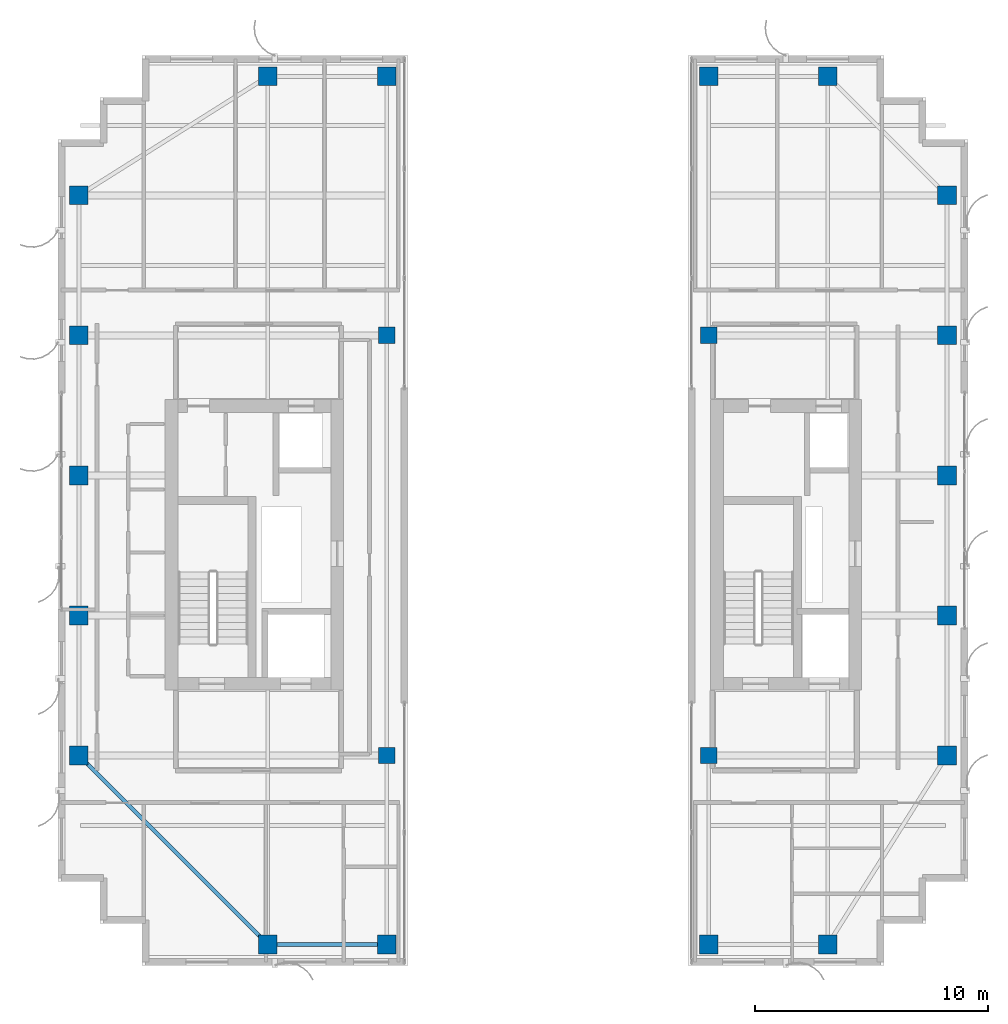
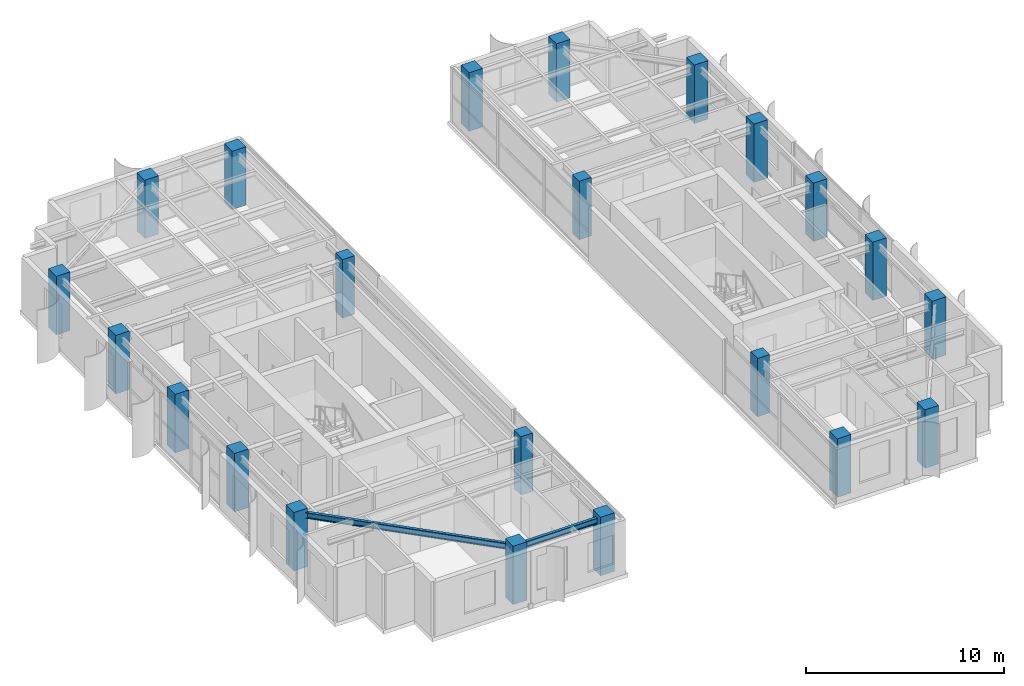
# One storey, part 1 of 24: 22 columns, 2 beams.
"""IFC4 building model written with IfcOpenShell, lengths in metres."""

import ifcopenshell
import ifcopenshell.guid

model = None  # the IFC model being written
_history = None  # IfcOwnerHistory: only IFC2X3 demands one
_inside = {}  # id of a spatial element -> (the spatial element, [elements in it])
_under = {}  # id of a project, library or spatial element -> (it, [spatial elements below it])
_declared = {}  # id of a project -> (the project, [libraries it declares])
_typed = {}  # id of a type object -> (the type object, [elements of that type])
_made_of = {}  # id of a material, layer set ... -> (it, [elements and type objects made of it])


def new_model(schema):
    """Start an empty IFC model of exactly this schema.

    Asked for "IFC4X3", IfcOpenShell would pick the latest addendum, in which some entities
    have other attributes; the version numbers below select the first issue.
    IFC2X3 requires an IfcOwnerHistory on every rooted entity: one is made here for all.
    """
    global model, _history
    if schema == "IFC4X3":
        model = ifcopenshell.file(schema_version=(4, 3, 0, 0))
    else:
        model = ifcopenshell.file(schema=schema)
    _inside.clear()
    _under.clear()
    _declared.clear()
    _typed.clear()
    _made_of.clear()
    _history = None
    if model.schema == "IFC2X3":
        org = make("IfcOrganization", Name="unknown")
        user = make(
            "IfcPersonAndOrganization",
            ThePerson=make("IfcPerson", FamilyName="unknown"),
            TheOrganization=org,
        )
        app = make(
            "IfcApplication",
            ApplicationDeveloper=org,
            Version="unknown",
            ApplicationFullName="unknown",
            ApplicationIdentifier="unknown",
        )
        _history = make(
            "IfcOwnerHistory",
            OwningUser=user,
            OwningApplication=app,
            ChangeAction="ADDED",
            CreationDate=0,
        )
    return model


def make(cls, **values):
    """One entity of the class cls with the attributes given. An attribute that is None is left unset."""
    return model.create_entity(
        cls, **{name: value for name, value in values.items() if value is not None}
    )


def rooted(cls, **values):
    """An entity with a GlobalId (a new one), such as an element, a storey or a relation."""
    return make(cls, GlobalId=ifcopenshell.guid.new(), OwnerHistory=_history, **values)


def si_unit(unit_type, name, prefix=None):
    """IfcSIUnit, for example si_unit("LENGTHUNIT", "METRE", prefix="MILLI")."""
    return make("IfcSIUnit", UnitType=unit_type, Prefix=prefix, Name=name)


def assignment(units):
    """IfcUnitAssignment: the units of a project."""
    return None if units is None else make("IfcUnitAssignment", Units=units)


def point(xyz):
    """IfcCartesianPoint."""
    return None if xyz is None else make("IfcCartesianPoint", Coordinates=xyz)


def direction(xyz):
    """IfcDirection."""
    return None if xyz is None else make("IfcDirection", DirectionRatios=xyz)


def frame(location, z_axis=None, x_axis=None):
    """IfcAxis2Placement3D, a coordinate frame: its origin and axes. An axis left out is left unset."""
    return make(
        "IfcAxis2Placement3D",
        Location=point(location),
        Axis=direction(z_axis),
        RefDirection=direction(x_axis),
    )


def frame_2d(location, x_axis=None):
    """IfcAxis2Placement2D, a coordinate frame in the plane: its origin and x axis."""
    return make(
        "IfcAxis2Placement2D", Location=point(location), RefDirection=direction(x_axis)
    )


def origin():
    """The frame at (0, 0, 0) with its axes left unset."""
    return frame((0.0, 0.0, 0.0))


def origin_2d():
    """The frame at (0, 0) in the plane with its x axis left unset."""
    return frame_2d((0.0, 0.0))


def place(relative_to, where):
    """IfcLocalPlacement: puts the frame where relative to a parent placement (None: the world)."""
    return make(
        "IfcLocalPlacement", PlacementRelTo=relative_to, RelativePlacement=where
    )


def context(
    kind, dimensions, precision=None, world=None, true_north=None, identifier=None
):
    """IfcGeometricRepresentationContext, for example the 3D "Model" context."""
    return make(
        "IfcGeometricRepresentationContext",
        ContextIdentifier=identifier,
        ContextType=kind,
        CoordinateSpaceDimension=dimensions,
        Precision=precision,
        WorldCoordinateSystem=world,
        TrueNorth=true_north,
    )


def subcontext(parent, identifier, kind, view, scale=None):
    """IfcGeometricRepresentationSubContext, for example "Body" below "Model"."""
    return make(
        "IfcGeometricRepresentationSubContext",
        ContextIdentifier=identifier,
        ContextType=kind,
        ParentContext=parent,
        TargetScale=scale,
        TargetView=view,
    )


def project(units=None, contexts=None):
    """IfcProject with its units and contexts."""
    return rooted(
        "IfcProject",
        Name="project",
        RepresentationContexts=contexts,
        UnitsInContext=assignment(units),
    )


def spatial(cls, under=None, at=None, **own):
    """A site, building, storey or space (cls), placed at a placement, below another one or the project."""
    s = rooted(cls, ObjectPlacement=at, **own)
    if under is not None:
        _under.setdefault(under.id(), (under, []))[1].append(s)
    return s


def profile(cls, at=None, kind="AREA", **sizes):
    """A parametric profile (cls). Its sizes go by their IFC names, for example OverallWidth=200.0."""
    return make(cls, ProfileType=kind, Position=at, **sizes)


def rectangle(**sizes):
    """IfcRectangleProfileDef."""
    return profile("IfcRectangleProfileDef", **sizes)


def i_section(**sizes):
    """IfcIShapeProfileDef."""
    return profile("IfcIShapeProfileDef", **sizes)


def extrude(swept, where, along, depth):
    """IfcExtrudedAreaSolid: the profile swept, set in the frame where, extruded along a direction by depth."""
    return make(
        "IfcExtrudedAreaSolid",
        SweptArea=swept,
        Position=where,
        ExtrudedDirection=direction(along),
        Depth=depth,
    )


def shape(context_of_items, identifier, shape_type, items):
    """IfcShapeRepresentation: the items that make up one representation, for example the "Body"."""
    return make(
        "IfcShapeRepresentation",
        ContextOfItems=context_of_items,
        RepresentationIdentifier=identifier,
        RepresentationType=shape_type,
        Items=items,
    )


def source(mapping_origin, context_of_items, identifier, shape_type, items):
    """IfcRepresentationMap: a shape defined once, which mapped items show again and again."""
    return make(
        "IfcRepresentationMap",
        MappingOrigin=mapping_origin,
        MappedRepresentation=shape(context_of_items, identifier, shape_type, items),
    )


def transform(
    local_origin,
    x_axis=None,
    y_axis=None,
    z_axis=None,
    scale=None,
    scale2=None,
    scale3=None,
    uniform=True,
):
    """IfcCartesianTransformationOperator3D, or its non-uniform kind. x_axis, y_axis, z_axis: its Axis1, 2, 3."""
    if uniform:
        return make(
            "IfcCartesianTransformationOperator3D",
            Axis1=direction(x_axis),
            Axis2=direction(y_axis),
            LocalOrigin=point(local_origin),
            Scale=scale,
            Axis3=direction(z_axis),
        )
    return make(
        "IfcCartesianTransformationOperator3DnonUniform",
        Axis1=direction(x_axis),
        Axis2=direction(y_axis),
        LocalOrigin=point(local_origin),
        Scale=scale,
        Axis3=direction(z_axis),
        Scale2=scale2,
        Scale3=scale3,
    )


def mapped(mapping_source, mapping_target):
    """IfcMappedItem: shows the shape of a source again, moved by a transform."""
    return make(
        "IfcMappedItem", MappingSource=mapping_source, MappingTarget=mapping_target
    )


def material(Name=None, Category=None):
    """IfcMaterial."""
    return make("IfcMaterial", Name=Name, Category=Category)


def material_profile(
    of_material, cross_section, Name=None, Category=None, Priority=None
):
    """IfcMaterialProfile: a cross section and its material."""
    return make(
        "IfcMaterialProfile",
        Name=Name,
        Material=of_material,
        Profile=cross_section,
        Priority=Priority,
        Category=Category,
    )


def profile_set(profiles, Name=None, composite=None):
    """IfcMaterialProfileSet."""
    return make(
        "IfcMaterialProfileSet",
        Name=Name,
        MaterialProfiles=profiles,
        CompositeProfile=composite,
    )


def made_of(thing, what):
    """Note that an element or type object is made of a material, layer set ...; save() writes the relation."""
    if what is not None:
        _made_of.setdefault(what.id(), (what, []))[1].append(thing)
    return thing


def type_object(cls, material=None, **own):
    """A type object (cls), such as IfcWallType, which elements share."""
    return made_of(rooted(cls, **own), material)


def element(
    cls,
    number,
    at=None,
    inside=None,
    cuts=None,
    type_object=None,
    material=None,
    context=None,
    identifier="Body",
    shape_type=None,
    held_by="IfcProductDefinitionShape",
    body=None,
    shapes=None,
    **own,
):
    """One element of the class cls, such as IfcWall. Its Tag is "e" and its number.

    at: its placement. inside: the storey or other place that contains it. cuts: it is an
    opening in that element (IfcRelVoidsElement). A single representation is given by context,
    identifier, shape_type and body (its items); several are given by shapes. held_by: the class
    of the entity that holds the representations. save() writes the other relations.
    """
    e = rooted(cls, Tag="e%d" % number, ObjectPlacement=at, **own)
    if body is not None:
        shapes = [shape(context, identifier, shape_type, body)]
    if shapes is not None:
        e.Representation = make(held_by, Representations=shapes)
    if inside is not None:
        _inside.setdefault(inside.id(), (inside, []))[1].append(e)
    if cuts is not None:
        rooted(
            "IfcRelVoidsElement", RelatingBuildingElement=cuts, RelatedOpeningElement=e
        )
    if type_object is not None:
        _typed.setdefault(type_object.id(), (type_object, []))[1].append(e)
    return made_of(e, material)


def aggregate(whole, parts):
    """IfcRelAggregates: a whole, such as a stair, and the parts it consists of."""
    return rooted("IfcRelAggregates", RelatingObject=whole, RelatedObjects=parts)


def save(model, path):
    """Write the relations noted so far, then the file.

    IfcRelAggregates (storeys below a building ...), IfcRelContainedInSpatialStructure (elements
    in a storey), IfcRelDefinesByType, IfcRelAssociatesMaterial and IfcRelDeclares: one each for
    every whole, place, type object, material and project.
    """
    for whole, parts in _under.values():
        aggregate(whole, parts)
    for where, things in _inside.values():
        rooted(
            "IfcRelContainedInSpatialStructure",
            RelatedElements=things,
            RelatingStructure=where,
        )
    for kind, things in _typed.values():
        rooted("IfcRelDefinesByType", RelatedObjects=things, RelatingType=kind)
    for what, things in _made_of.values():
        rooted("IfcRelAssociatesMaterial", RelatedObjects=things, RelatingMaterial=what)
    for by, libraries in _declared.values():
        rooted("IfcRelDeclares", RelatingContext=by, RelatedDefinitions=libraries)
    model.write(path)


model = new_model("IFC4")

# Units and contexts
model_context = context("Model", 3, precision=1e-05, world=origin(), true_north=direction((0.0, 1.0)))
body_context = subcontext(model_context, "Body", "Model", "MODEL_VIEW")
ifc_project = project(units=[si_unit("LENGTHUNIT", "METRE"), si_unit("AREAUNIT", "SQUARE_METRE"), si_unit("VOLUMEUNIT", "CUBIC_METRE"), si_unit("PLANEANGLEUNIT", "RADIAN"), si_unit("MASSUNIT", "GRAM", prefix="KILO")], contexts=[model_context])

# Site, building, storey
site_placement = place(None, origin())
site = spatial("IfcSite", under=ifc_project, at=site_placement, CompositionType="ELEMENT")
building_placement = place(site_placement, origin())
building = spatial("IfcBuilding", under=site, at=building_placement, Name="Khoralis Quay Care Tower", CompositionType="ELEMENT")
storey_placement = place(building_placement, frame((0.0, 0.0, 238.5)))
storey = spatial("IfcBuildingStorey", under=building, at=storey_placement, Name="L62", CompositionType="ELEMENT", Elevation=238.5)

# Columns
ifc_material_1 = material(Name="Concrete C50/60", Category="concrete")
ifc_material_profile_1 = material_profile(ifc_material_1, rectangle(XDim=0.800048828125, YDim=0.800048828125, at=origin_2d()), Name="Concrete C50/60")
ifc_profile_set_1 = profile_set([ifc_material_profile_1], Name="Concrete C50/60")
column_type_1 = type_object("IfcColumnType", Name="COL-C800", PredefinedType="COLUMN", material=ifc_profile_set_1)
shared_shape_1 = source(origin(), body_context, "Body", "SweptSolid", [
    extrude(rectangle(XDim=0.800048828125, YDim=0.800048828125, at=origin_2d()), origin(), (0.0, 0.0, 1.0), 3.60009765625),
])
for number, where, z_axis, x_axis, name in (
    (1, (12.0, 3.89990234375, 0.0), (0.0, 0.0, 1.0), (1.0, 0.0, 0.0), "COL-TWR-L62-01"),
    (2, (12.0, 41.10009765625, 0.0), (0.0, 0.0, 1.0), (1.0, 0.0, 0.0), "COL-TWR-L62-02"),
    (3, (17.10009765625, 3.89990234375, 0.0), (0.0, 0.0, 1.0), (1.0, 0.0, 0.0), "COL-TWR-L62-03"),
    (4, (17.10009765625, 41.10009765625, 0.0), (0.0, 0.0, 1.0), (1.0, 0.0, 0.0), "COL-TWR-L62-04"),
    (5, (30.89990234375, 3.89990234375, 0.0), (0.0, 0.0, 1.0), (1.0, 0.0, 0.0), "COL-TWR-L62-05"),
    (6, (30.89990234375, 41.10009765625, 0.0), (0.0, 0.0, 1.0), (1.0, 0.0, 0.0), "COL-TWR-L62-06"),
    (7, (36.0, 3.89990234375, 0.0), (0.0, 0.0, 1.0), (1.0, 0.0, 0.0), "COL-TWR-L62-07"),
    (8, (36.0, 41.10009765625, 0.0), (0.0, 0.0, 1.0), (1.0, 0.0, 0.0), "COL-TWR-L62-08"),
    (9, (3.89990234375, 12.0, 0.0), (0.0, 0.0, 1.0), (1.0, 0.0, 0.0), "COL-TWR-L62-09"),
    (10, (41.10009765625, 12.0, 0.0), (0.0, 0.0, 1.0), (1.0, 0.0, 0.0), "COL-TWR-L62-10"),
    (11, (3.89990234375, 18.0, 0.0), (0.0, 0.0, 1.0), (1.0, 0.0, 0.0), "COL-TWR-L62-11"),
    (12, (41.10009765625, 18.0, 0.0), (0.0, 0.0, 1.0), (1.0, 0.0, 0.0), "COL-TWR-L62-12"),
    (13, (3.89990234375, 24.0, 0.0), (0.0, 0.0, 1.0), (1.0, 0.0, 0.0), "COL-TWR-L62-13"),
    (14, (41.10009765625, 24.0, 0.0), (0.0, 0.0, 1.0), (1.0, 0.0, 0.0), "COL-TWR-L62-14"),
    (15, (3.89990234375, 30.0, 0.0), (0.0, 0.0, 1.0), (1.0, 0.0, 0.0), "COL-TWR-L62-15"),
    (16, (41.10009765625, 30.0, 0.0), (0.0, 0.0, 1.0), (1.0, 0.0, 0.0), "COL-TWR-L62-16"),
    (17, (3.89990234375, 36.0, 0.0), (0.0, 0.0, 1.0), (1.0, 0.0, 0.0), "COL-TWR-L62-17"),
    (18, (41.10009765625, 36.0, 0.0), (0.0, 0.0, 1.0), (1.0, 0.0, 0.0), "COL-TWR-L62-18"),
):
    element("IfcColumn", number, at=place(storey_placement, frame(where, z_axis=z_axis, x_axis=x_axis)), inside=storey, type_object=column_type_1, Name=name, PredefinedType="COLUMN", context=body_context, shape_type="MappedRepresentation", body=[
        mapped(shared_shape_1, transform((0.0, 0.0, 0.0), scale=1.0)),
    ])
ifc_material_profile_2 = material_profile(ifc_material_1, rectangle(XDim=0.699951171875, YDim=0.699951171875, at=origin_2d()), Name="Concrete C50/60")
ifc_profile_set_2 = profile_set([ifc_material_profile_2], Name="Concrete C50/60")
column_type_2 = type_object("IfcColumnType", Name="COL-C700", PredefinedType="COLUMN", material=ifc_profile_set_2)
shared_shape_2 = source(origin(), body_context, "Body", "SweptSolid", [
    extrude(rectangle(XDim=0.699951171875, YDim=0.699951171875, at=origin_2d()), origin(), (0.0, 0.0, 1.0), 3.60009765625),
])
for number, where, z_axis, x_axis, name in (
    (19, (17.10009765625, 12.0, 0.0), (0.0, 0.0, 1.0), (1.0, 0.0, 0.0), "COL-TWR-L62-19"),
    (20, (17.10009765625, 30.0, 0.0), (0.0, 0.0, 1.0), (1.0, 0.0, 0.0), "COL-TWR-L62-20"),
    (21, (30.89990234375, 12.0, 0.0), (0.0, 0.0, 1.0), (1.0, 0.0, 0.0), "COL-TWR-L62-21"),
    (22, (30.89990234375, 30.0, 0.0), (0.0, 0.0, 1.0), (1.0, 0.0, 0.0), "COL-TWR-L62-22"),
):
    element("IfcColumn", number, at=place(storey_placement, frame(where, z_axis=z_axis, x_axis=x_axis)), inside=storey, type_object=column_type_2, Name=name, PredefinedType="COLUMN", context=body_context, shape_type="MappedRepresentation", body=[
        mapped(shared_shape_2, transform((0.0, 0.0, 0.0), scale=1.0)),
    ])

# Beams
ifc_material_2 = material(Name="Steel S355", Category="steel")
ifc_material_profile_3 = material_profile(ifc_material_2, i_section(OverallWidth=0.169921875, OverallDepth=0.360107421875, WebThickness=0.008056640625, FlangeThickness=0.0126953125, FilletRadius=0.01806640625, at=origin_2d()), Name="Steel S355")
ifc_profile_set_3 = profile_set([ifc_material_profile_3], Name="Steel S355")
beam_type = type_object("IfcBeamType", Name="BM-IPE360", PredefinedType="SPANDREL", material=ifc_profile_set_3)
shared_shape_3 = source(origin(), body_context, "Body", "SweptSolid", [
    extrude(i_section(OverallWidth=0.169921875, OverallDepth=0.360107421875, WebThickness=0.008056640625, FlangeThickness=0.0126953125, FilletRadius=0.01806640625, at=origin_2d()), origin(), (0.0, 0.0, 1.0), 5.10009765625),
])
beam_1_placement = place(storey_placement, frame((12.0, 3.89990234375, 3.179931640625), z_axis=(1.0, 0.0, 0.0), x_axis=(0.0, 1.0, 0.0)))
element("IfcBeam", 23, at=beam_1_placement, inside=storey, type_object=beam_type, Name="BM-TSP-L62-01", PredefinedType="SPANDREL", context=body_context, shape_type="MappedRepresentation", body=[
    mapped(shared_shape_3, transform((0.0, 0.0, 0.0), scale=1.0)),
])
shared_shape_4 = source(origin(), body_context, "Body", "SweptSolid", [
    extrude(i_section(OverallWidth=0.169921875, OverallDepth=0.360107421875, WebThickness=0.008056640625, FlangeThickness=0.0126953125, FilletRadius=0.01806640625, at=origin_2d()), origin(), (0.0, 0.0, 1.0), 11.455322265625),
])
beam_2_placement = place(storey_placement, frame((12.0, 3.89990234375, 3.179931640625), z_axis=(-0.707106781187, 0.707106781187, 0.0), x_axis=(-0.707106781187, -0.707106781187, 0.0)))
element("IfcBeam", 24, at=beam_2_placement, inside=storey, type_object=beam_type, Name="BM-TCR-L62-13", PredefinedType="SPANDREL", context=body_context, shape_type="MappedRepresentation", body=[
    mapped(shared_shape_4, transform((0.0, 0.0, 0.0), scale=1.0)),
])

save(model, "model.ifc")
